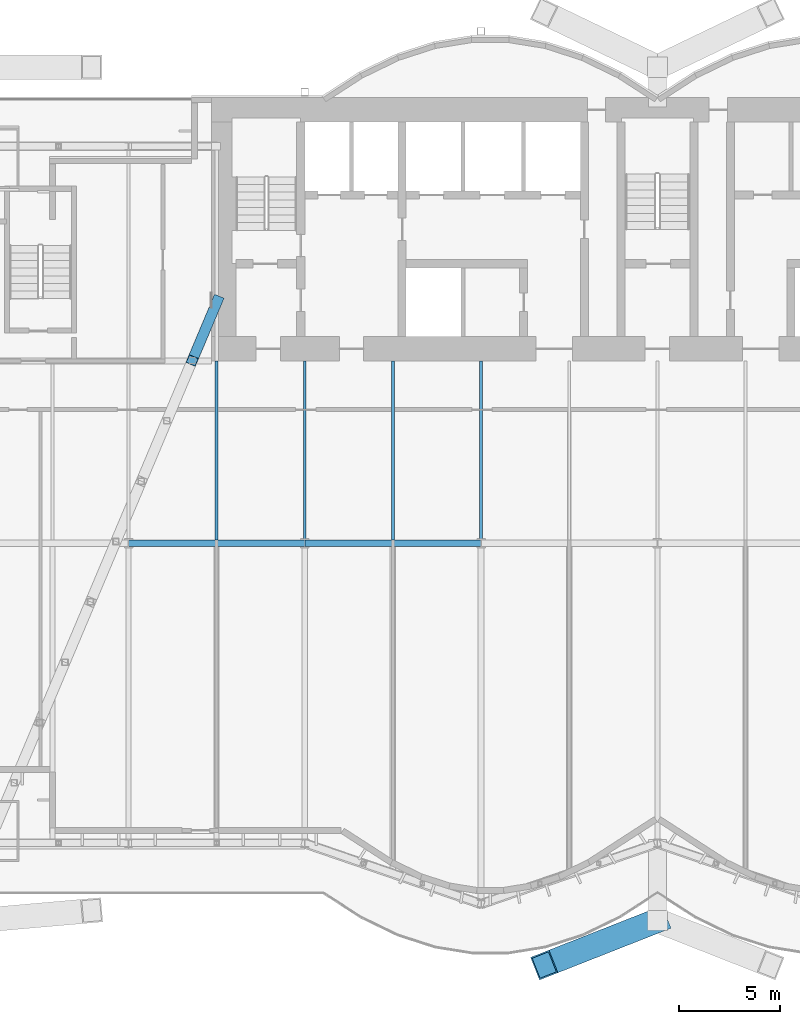
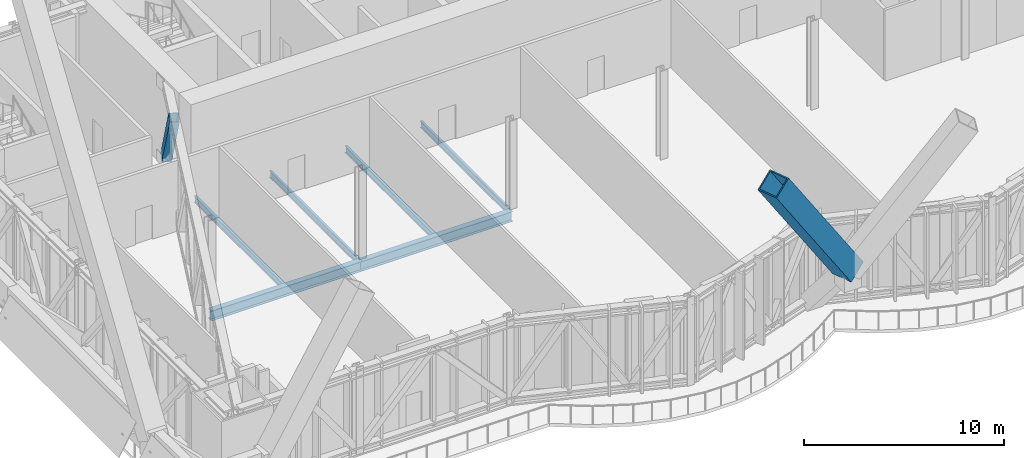
# One storey, part 10 of 32: 6 beams, 2 members.
"""IFC4 building model written with IfcOpenShell, lengths in metres."""

from ifc_helpers import new_model, si_unit, direction, frame, origin, origin_2d, place, context, subcontext, project, spatial, hollow_rectangle, i_section, extrude, material, material_profile, profile_set, type_object, element, save


model = new_model("IFC4")

# Units and contexts
model_context = context("Model", 3, precision=1e-05, world=origin(), true_north=direction((0.0, 1.0)))
body_context = subcontext(model_context, "Body", "Model", "MODEL_VIEW")
ifc_project = project(units=[si_unit("LENGTHUNIT", "METRE"), si_unit("AREAUNIT", "SQUARE_METRE"), si_unit("VOLUMEUNIT", "CUBIC_METRE"), si_unit("PLANEANGLEUNIT", "RADIAN"), si_unit("MASSUNIT", "GRAM", prefix="KILO")], contexts=[model_context])

# Site, building, storey
site_placement = place(None, origin())
site = spatial("IfcSite", under=ifc_project, at=site_placement, CompositionType="ELEMENT")
building_placement = place(site_placement, origin())
building = spatial("IfcBuilding", under=site, at=building_placement, Name="Bicima Exchange Tower", CompositionType="ELEMENT")
storey_placement = place(building_placement, frame((0.0, 0.0, 84.5)))
storey = spatial("IfcBuildingStorey", under=building, at=storey_placement, Name="L17", CompositionType="ELEMENT", Elevation=84.5)

# Member
ifc_material_1 = material(Name="Steel ASTM A572 Gr 50", Category="steel")
ifc_material_profile_1 = material_profile(ifc_material_1, hollow_rectangle(XDim=1.199951171875, YDim=1.199951171875, WallThickness=0.070068359375, at=origin_2d()))
ifc_profile_set_1 = profile_set([ifc_material_profile_1], Name="Steel ASTM A572 Gr 50")
member_type_1 = type_object("IfcMemberType", Name="Exo mega brace BOX 1200x1200x70", PredefinedType="BRACE", material=ifc_profile_set_1)
member_1_placement = place(storey_placement, frame((0.0, -40.61279296875, 4.5), z_axis=(-0.540137902224, -0.212687122722, 0.814257474273), x_axis=(0.366383630861, -0.93046388164, 0.0)))
element("IfcMember", 1, at=member_1_placement, inside=storey, type_object=member_type_1, Name="Exo mega brace front", PredefinedType="BRACE", context=body_context, shape_type="SweptSolid", body=[
    extrude(hollow_rectangle(XDim=1.199951171875, YDim=1.199951171875, WallThickness=0.070068359375, at=origin_2d()), origin(), (0.0, 0.0, 1.0), 10.336669921875),
])

# Beams
ifc_material_2 = material(Name="Steel ASTM A992 Gr 50", Category="steel")
ifc_material_profile_2 = material_profile(ifc_material_2, i_section(OverallWidth=0.140380859375, OverallDepth=0.40380859375, WebThickness=0.007080078125, FlangeThickness=0.01123046875, at=origin_2d()))
ifc_profile_set_2 = profile_set([ifc_material_profile_2], Name="Steel ASTM A992 Gr 50")
beam_type_1 = type_object("IfcBeamType", Name="Floor beam W16x31", PredefinedType="JOIST", material=ifc_profile_set_2)
for number, where, z_axis, x_axis, name in (
    (2, (-21.75, -13.0, -0.40185546875), (0.0, -1.0, 0.0), (1.0, 0.0, 0.0), "Floor beam"),
    (3, (-17.39990234375, -13.0, -0.40185546875), (0.0, -1.0, 0.0), (1.0, 0.0, 0.0), "Floor beam"),
    (4, (-13.050048828125, -13.0, -0.40185546875), (0.0, -1.0, 0.0), (1.0, 0.0, 0.0), "Floor beam"),
    (5, (-8.699951171875, -13.0, -0.40185546875), (0.0, -1.0, 0.0), (1.0, 0.0, 0.0), "Floor beam"),
):
    element("IfcBeam", number, at=place(storey_placement, frame(where, z_axis=z_axis, x_axis=x_axis)), inside=storey, type_object=beam_type_1, Name=name, PredefinedType="JOIST", context=body_context, shape_type="SweptSolid", body=[
        extrude(i_section(OverallWidth=0.140380859375, OverallDepth=0.40380859375, WebThickness=0.007080078125, FlangeThickness=0.01123046875, at=origin_2d()), origin(), (0.0, 0.0, 1.0), 8.83740234375),
    ])

# Member
ifc_material_profile_3 = material_profile(ifc_material_1, hollow_rectangle(XDim=0.508056640625, YDim=0.508056640625, WallThickness=0.017822265625, at=origin_2d()))
ifc_profile_set_3 = profile_set([ifc_material_profile_3], Name="Steel ASTM A572 Gr 50")
member_type_2 = type_object("IfcMemberType", Name="Outrigger truss diagonal HSS20x20x3/4", PredefinedType="STRUT", material=ifc_profile_set_3)
member_2_placement = place(storey_placement, frame((-21.699951171875, -10.0, 0.284423828125), z_axis=(-0.220750685657, -0.523397600797, 0.822997014735), x_axis=(0.921400520551, -0.388614308446, 0.0)))
element("IfcMember", 6, at=member_2_placement, inside=storey, type_object=member_type_2, Name="Truss diagonal", PredefinedType="STRUT", context=body_context, shape_type="SweptSolid", body=[
    extrude(hollow_rectangle(XDim=0.508056640625, YDim=0.508056640625, WallThickness=0.017822265625, at=origin_2d()), origin(), (0.0, 0.0, 1.0), 5.68798828125),
])

# Beams
ifc_material_profile_4 = material_profile(ifc_material_2, i_section(OverallWidth=0.3251953125, OverallDepth=0.612060546875, WebThickness=0.0126953125, FlangeThickness=0.01904296875, at=origin_2d()))
ifc_profile_set_4 = profile_set([ifc_material_profile_4], Name="Steel ASTM A992 Gr 50")
beam_type_2 = type_object("IfcBeamType", Name="Row girder W24x104", PredefinedType="BEAM", material=ifc_profile_set_4)
beam_1_placement = place(storey_placement, frame((-26.10009765625, -22.0, -0.506103515625), z_axis=(1.0, 0.0, 0.0), x_axis=(0.0, 1.0, 0.0)))
element("IfcBeam", 7, at=beam_1_placement, inside=storey, type_object=beam_type_2, Name="Row girder", PredefinedType="BEAM", context=body_context, shape_type="SweptSolid", body=[
    extrude(i_section(OverallWidth=0.3251953125, OverallDepth=0.612060546875, WebThickness=0.0126953125, FlangeThickness=0.01904296875, at=origin_2d()), origin(), (0.0, 0.0, 1.0), 8.7001953125),
])
beam_2_placement = place(storey_placement, frame((-17.39990234375, -22.0, -0.506103515625), z_axis=(1.0, 0.0, 0.0), x_axis=(0.0, 1.0, 0.0)))
element("IfcBeam", 8, at=beam_2_placement, inside=storey, type_object=beam_type_2, Name="Row girder", PredefinedType="BEAM", context=body_context, shape_type="SweptSolid", body=[
    extrude(i_section(OverallWidth=0.3251953125, OverallDepth=0.612060546875, WebThickness=0.0126953125, FlangeThickness=0.01904296875, at=origin_2d()), origin(), (0.0, 0.0, 1.0), 8.699951171875),
])

save(model, "model.ifc")
